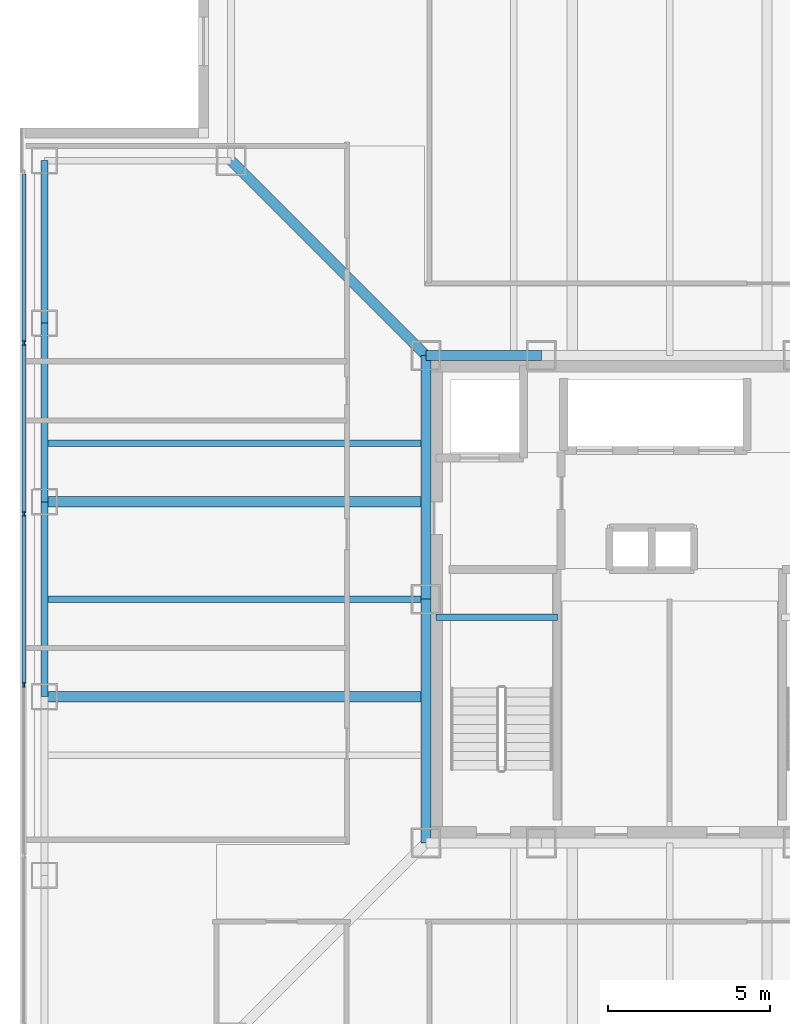
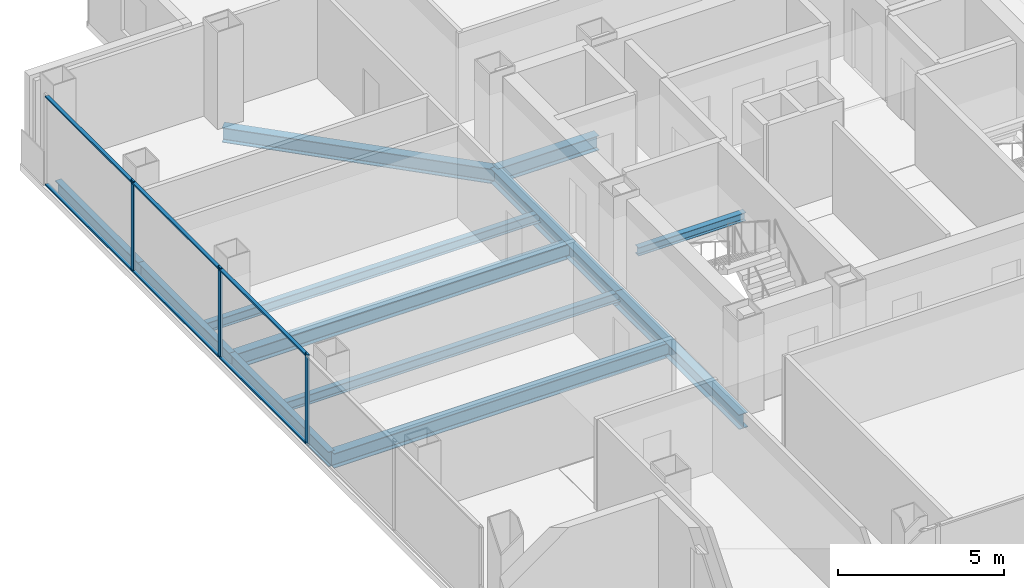
# One storey, part 4 of 17: 12 beams, 9 members, 1 element without a shape of its own.
"""IFC4 building model written with IfcOpenShell, lengths in metres."""

from ifc_helpers import new_model, si_unit, direction, frame, origin, origin_2d, place, context, subcontext, project, spatial, rectangle, i_section, extrude, material, layer, layer_set, material_profile, profile_set, type_object, element, aggregate, save


model = new_model("IFC4")

# Units and contexts
model_context = context("Model", 3, precision=1e-05, world=origin(), true_north=direction((0.0, 1.0)))
body_context = subcontext(model_context, "Body", "Model", "MODEL_VIEW")
ifc_project = project(units=[si_unit("LENGTHUNIT", "METRE"), si_unit("AREAUNIT", "SQUARE_METRE"), si_unit("VOLUMEUNIT", "CUBIC_METRE"), si_unit("PLANEANGLEUNIT", "RADIAN"), si_unit("MASSUNIT", "GRAM", prefix="KILO")], contexts=[model_context])

# Site, building, storey
site_placement = place(None, origin())
site = spatial("IfcSite", under=ifc_project, at=site_placement, CompositionType="ELEMENT")
building_placement = place(site_placement, origin())
building = spatial("IfcBuilding", under=site, at=building_placement, Name="Trevonay Congress Spire", CompositionType="ELEMENT")
storey_placement = place(building_placement, frame((0.0, 0.0, 209.39990234375)))
storey = spatial("IfcBuildingStorey", under=building, at=storey_placement, Name="L54", CompositionType="ELEMENT", Elevation=209.39990234375)

# Beams
ifc_material_1 = material(Name="Steel ASTM A572 Grade 50", Category="steel")
ifc_material_profile_1 = material_profile(ifc_material_1, i_section(OverallWidth=0.31201171875, OverallDepth=0.54296875, WebThickness=0.0126953125, FlangeThickness=0.020263671875, FilletRadius=0.014892578125, at=origin_2d()), Name="W530x150")
ifc_profile_set_1 = profile_set([ifc_material_profile_1], Name="Steel ASTM A572 Grade 50")
beam_type_1 = type_object("IfcBeamType", Name="BM-GIRD-W530X150", PredefinedType="BEAM", material=ifc_profile_set_1)
beam_1_placement = place(storey_placement, frame((-7.5, 7.5, -0.511474609375), z_axis=(1.0, 0.0, 0.0), x_axis=(0.0, 1.0, 0.0)))
element("IfcBeam", 1, at=beam_1_placement, inside=storey, type_object=beam_type_1, Name="L54 structural beam BM-L54-CR-N1", PredefinedType="BEAM", context=body_context, shape_type="SweptSolid", body=[
    extrude(i_section(OverallWidth=0.31201171875, OverallDepth=0.54296875, WebThickness=0.0126953125, FlangeThickness=0.020263671875, FilletRadius=0.014892578125, at=origin_2d()), origin(), (0.0, 0.0, 1.0), 3.550048828125),
])
for number, where, z_axis, x_axis, name in (
    (2, (-7.5, -7.5, -0.511474609375), (0.0, 1.0, 0.0), (-1.0, 0.0, 0.0), "L54 structural beam BM-L54-CR-W1"),
    (3, (-7.5, 0.0, -0.511474609375), (0.0, 1.0, 0.0), (-1.0, 0.0, 0.0), "L54 structural beam BM-L54-CR-W2"),
):
    element("IfcBeam", number, at=place(storey_placement, frame(where, z_axis=z_axis, x_axis=x_axis)), inside=storey, type_object=beam_type_1, Name=name, PredefinedType="BEAM", context=body_context, shape_type="SweptSolid", body=[
        extrude(i_section(OverallWidth=0.31201171875, OverallDepth=0.54296875, WebThickness=0.0126953125, FlangeThickness=0.020263671875, FilletRadius=0.014892578125, at=origin_2d()), origin(), (0.0, 0.0, 1.0), 7.5),
    ])
beam_2_placement = place(storey_placement, frame((-7.5, 7.5, -0.511474609375), z_axis=(-0.707106781187, 0.707106781187, 0.0), x_axis=(-0.707106781187, -0.707106781187, 0.0)))
element("IfcBeam", 4, at=beam_2_placement, inside=storey, type_object=beam_type_1, Name="L54 structural beam BM-L54-CDNW", PredefinedType="BEAM", context=body_context, shape_type="SweptSolid", body=[
    extrude(i_section(OverallWidth=0.31201171875, OverallDepth=0.54296875, WebThickness=0.0126953125, FlangeThickness=0.020263671875, FilletRadius=0.014892578125, at=origin_2d()), origin(), (0.0, 0.0, 1.0), 8.4853515625),
])
for number, where, z_axis, x_axis, name in (
    (5, (-7.5, -3.0, -0.511474609375), (-1.0, 0.0, 0.0), (0.0, -1.0, 0.0), "L54 structural beam BM-L54-GW-M"),
    (6, (-7.5, 3.0, -0.511474609375), (-1.0, 0.0, 0.0), (0.0, -1.0, 0.0), "L54 structural beam BM-L54-GW-P"),
):
    element("IfcBeam", number, at=place(storey_placement, frame(where, z_axis=z_axis, x_axis=x_axis)), inside=storey, type_object=beam_type_1, Name=name, PredefinedType="BEAM", context=body_context, shape_type="SweptSolid", body=[
        extrude(i_section(OverallWidth=0.31201171875, OverallDepth=0.54296875, WebThickness=0.0126953125, FlangeThickness=0.020263671875, FilletRadius=0.014892578125, at=origin_2d()), origin(), (0.0, 0.0, 1.0), 11.75),
    ])
ifc_material_profile_2 = material_profile(ifc_material_1, i_section(OverallWidth=0.2119140625, OverallDepth=0.5439453125, WebThickness=0.01318359375, FlangeThickness=0.021240234375, FilletRadius=0.014892578125, at=origin_2d()), Name="W530x123")
ifc_profile_set_2 = profile_set([ifc_material_profile_2], Name="Steel ASTM A572 Grade 50")
beam_type_2 = type_object("IfcBeamType", Name="BM-RING-W530X123", PredefinedType="BEAM", material=ifc_profile_set_2)
beam_3_placement = place(storey_placement, frame((-19.25, -3.0, -0.511962890625), z_axis=(0.0, 1.0, 0.0), x_axis=(-1.0, 0.0, 0.0)))
element("IfcBeam", 7, at=beam_3_placement, inside=storey, type_object=beam_type_2, Name="L54 structural beam BM-L54-PW3", PredefinedType="BEAM", context=body_context, shape_type="SweptSolid", body=[
    extrude(i_section(OverallWidth=0.2119140625, OverallDepth=0.5439453125, WebThickness=0.01318359375, FlangeThickness=0.021240234375, FilletRadius=0.014892578125, at=origin_2d()), origin(), (0.0, 0.0, 1.0), 6.0),
])
beam_4_placement = place(storey_placement, frame((-19.25, 3.0, -0.511962890625), z_axis=(0.0, 1.0, 0.0), x_axis=(-1.0, 0.0, 0.0)))
element("IfcBeam", 8, at=beam_4_placement, inside=storey, type_object=beam_type_2, Name="L54 structural beam BM-L54-PW4", PredefinedType="BEAM", context=body_context, shape_type="SweptSolid", body=[
    extrude(i_section(OverallWidth=0.2119140625, OverallDepth=0.5439453125, WebThickness=0.01318359375, FlangeThickness=0.021240234375, FilletRadius=0.014892578125, at=origin_2d()), origin(), (0.0, 0.0, 1.0), 5.5),
])
beam_5_placement = place(storey_placement, frame((-19.25, 8.5, -0.511962890625), z_axis=(0.0, 1.0, 0.0), x_axis=(-1.0, 0.0, 0.0)))
element("IfcBeam", 9, at=beam_5_placement, inside=storey, type_object=beam_type_2, Name="L54 structural beam BM-L54-PW5", PredefinedType="BEAM", context=body_context, shape_type="SweptSolid", body=[
    extrude(i_section(OverallWidth=0.2119140625, OverallDepth=0.5439453125, WebThickness=0.01318359375, FlangeThickness=0.021240234375, FilletRadius=0.014892578125, at=origin_2d()), origin(), (0.0, 0.0, 1.0), 5.0),
])

# Curtain wall, members
ifc_material_2 = material(Name="Pale Anodised Aluminium EN AW-6063-T6", Category="aluminium")
ifc_layer = layer(ifc_material_2, 0.169921875, Name="Pale Anodised Aluminium EN AW-6063-T6")
ifc_layer_set = layer_set([ifc_layer], Name="Pale Anodised Aluminium EN AW-6063-T6")
curtain_wall_type = type_object("IfcCurtainWallType", Name="CW-SYS04-CORP-PALE-METAL", PredefinedType="NOTDEFINED", material=ifc_layer_set)
curtain_wall_placement = place(storey_placement, origin())
curtain_wall = element("IfcCurtainWall", 10, at=curtain_wall_placement, inside=storey, type_object=curtain_wall_type, Name="L54 W unitised curtain wall", PredefinedType="NOTDEFINED")
ifc_material_profile_3 = material_profile(ifc_material_2, rectangle(XDim=0.06005859375, YDim=0.159912109375, at=origin_2d()), Name="CW-MULLION-160-ALUMINIUM")
ifc_profile_set_3 = profile_set([ifc_material_profile_3], Name="Pale Anodised Aluminium EN AW-6063-T6")
member_type_1 = type_object("IfcMemberType", Name="CW-MULLION-160-ALUMINIUM", PredefinedType="MULLION", material=ifc_profile_set_3)
member_1_placement = place(storey_placement, frame((-19.8798828125, -2.6298828125, 0.0), z_axis=(0.0, 0.0, 1.0), x_axis=(-1.0, 0.0, 0.0)))
member_1 = element("IfcMember", 11, at=member_1_placement, type_object=member_type_1, Name="CW04 mullion 3", PredefinedType="MULLION", context=body_context, shape_type="SweptSolid", body=[
    extrude(rectangle(XDim=0.06005859375, YDim=0.159912109375, at=origin_2d()), origin(), (0.0, 0.0, 1.0), 3.360107421875),
])
member_2_placement = place(storey_placement, frame((-19.8798828125, 2.6298828125, 0.0), z_axis=(0.0, 0.0, 1.0), x_axis=(-1.0, 0.0, 0.0)))
member_2 = element("IfcMember", 12, at=member_2_placement, type_object=member_type_1, Name="CW04 mullion 4", PredefinedType="MULLION", context=body_context, shape_type="SweptSolid", body=[
    extrude(rectangle(XDim=0.06005859375, YDim=0.159912109375, at=origin_2d()), origin(), (0.0, 0.0, 1.0), 3.360107421875),
])
member_3_placement = place(storey_placement, frame((-19.8798828125, 7.889892578125, 0.0), z_axis=(0.0, 0.0, 1.0), x_axis=(-1.0, 0.0, 0.0)))
member_3 = element("IfcMember", 13, at=member_3_placement, type_object=member_type_1, Name="CW04 mullion 5", PredefinedType="MULLION", context=body_context, shape_type="SweptSolid", body=[
    extrude(rectangle(XDim=0.06005859375, YDim=0.159912109375, at=origin_2d()), origin(), (0.0, 0.0, 1.0), 3.360107421875),
])
ifc_material_profile_4 = material_profile(ifc_material_2, rectangle(XDim=0.1201171875, YDim=0.06005859375, at=origin_2d()), Name="CW-TRANSOM-120-ALUMINIUM")
ifc_profile_set_4 = profile_set([ifc_material_profile_4], Name="Pale Anodised Aluminium EN AW-6063-T6")
member_type_2 = type_object("IfcMemberType", Name="CW-TRANSOM-120-ALUMINIUM", PredefinedType="USERDEFINED", material=ifc_profile_set_4)
member_4_placement = place(storey_placement, frame((-19.8798828125, -2.60009765625, 0.06005859375), z_axis=(0.0, 1.0, 0.0), x_axis=(-1.0, 0.0, 0.0)))
member_4 = element("IfcMember", 14, at=member_4_placement, type_object=member_type_2, Name="CW04 transom 3.1", ObjectType="TRANSOM", PredefinedType="USERDEFINED", context=body_context, shape_type="SweptSolid", body=[
    extrude(rectangle(XDim=0.1201171875, YDim=0.06005859375, at=origin_2d()), origin(), (0.0, 0.0, 1.0), 5.2001953125),
])
member_5_placement = place(storey_placement, frame((-19.8798828125, -2.60009765625, 3.300048828125), z_axis=(0.0, 1.0, 0.0), x_axis=(-1.0, 0.0, 0.0)))
member_5 = element("IfcMember", 15, at=member_5_placement, type_object=member_type_2, Name="CW04 transom 3.2", ObjectType="TRANSOM", PredefinedType="USERDEFINED", context=body_context, shape_type="SweptSolid", body=[
    extrude(rectangle(XDim=0.1201171875, YDim=0.06005859375, at=origin_2d()), origin(), (0.0, 0.0, 1.0), 5.2001953125),
])
member_6_placement = place(storey_placement, frame((-19.8798828125, 2.659912109375, 0.06005859375), z_axis=(0.0, 1.0, 0.0), x_axis=(-1.0, 0.0, 0.0)))
member_6 = element("IfcMember", 16, at=member_6_placement, type_object=member_type_2, Name="CW04 transom 4.1", ObjectType="TRANSOM", PredefinedType="USERDEFINED", context=body_context, shape_type="SweptSolid", body=[
    extrude(rectangle(XDim=0.1201171875, YDim=0.06005859375, at=origin_2d()), origin(), (0.0, 0.0, 1.0), 5.2001953125),
])
member_7_placement = place(storey_placement, frame((-19.8798828125, 2.659912109375, 3.300048828125), z_axis=(0.0, 1.0, 0.0), x_axis=(-1.0, 0.0, 0.0)))
member_7 = element("IfcMember", 17, at=member_7_placement, type_object=member_type_2, Name="CW04 transom 4.2", ObjectType="TRANSOM", PredefinedType="USERDEFINED", context=body_context, shape_type="SweptSolid", body=[
    extrude(rectangle(XDim=0.1201171875, YDim=0.06005859375, at=origin_2d()), origin(), (0.0, 0.0, 1.0), 5.2001953125),
])
member_8_placement = place(storey_placement, frame((-19.8798828125, 7.919921875, 0.06005859375), z_axis=(0.0, 1.0, 0.0), x_axis=(-1.0, 0.0, 0.0)))
member_8 = element("IfcMember", 18, at=member_8_placement, type_object=member_type_2, Name="CW04 transom 5.1", ObjectType="TRANSOM", PredefinedType="USERDEFINED", context=body_context, shape_type="SweptSolid", body=[
    extrude(rectangle(XDim=0.1201171875, YDim=0.06005859375, at=origin_2d()), origin(), (0.0, 0.0, 1.0), 5.170166015625),
])
member_9_placement = place(storey_placement, frame((-19.8798828125, 7.919921875, 3.300048828125), z_axis=(0.0, 1.0, 0.0), x_axis=(-1.0, 0.0, 0.0)))
member_9 = element("IfcMember", 19, at=member_9_placement, type_object=member_type_2, Name="CW04 transom 5.2", ObjectType="TRANSOM", PredefinedType="USERDEFINED", context=body_context, shape_type="SweptSolid", body=[
    extrude(rectangle(XDim=0.1201171875, YDim=0.06005859375, at=origin_2d()), origin(), (0.0, 0.0, 1.0), 5.170166015625),
])
aggregate(curtain_wall, [member_1, member_2, member_3, member_4, member_5, member_6, member_7, member_8, member_9])

# Beams
ifc_material_profile_5 = material_profile(ifc_material_1, i_section(OverallWidth=0.205078125, OverallDepth=0.35400390625, WebThickness=0.009521484375, FlangeThickness=0.016845703125, FilletRadius=0.011962890625, at=origin_2d()), Name="W360x79")
ifc_profile_set_5 = profile_set([ifc_material_profile_5], Name="Steel ASTM A572 Grade 50")
beam_type_3 = type_object("IfcBeamType", Name="JS-COMP-W360X79", PredefinedType="JOIST", material=ifc_profile_set_5)
for number, where, z_axis, x_axis, name in (
    (20, (-19.25, 0.0, -0.4169921875), (1.0, 0.0, 0.0), (0.0, 1.0, 0.0), "L54 structural beam JS-L54-EW-W2"),
    (21, (-19.25, 4.800048828125, -0.4169921875), (1.0, 0.0, 0.0), (0.0, 1.0, 0.0), "L54 structural beam JS-L54-EW-W3"),
):
    element("IfcBeam", number, at=place(storey_placement, frame(where, z_axis=z_axis, x_axis=x_axis)), inside=storey, type_object=beam_type_3, Name=name, PredefinedType="JOIST", context=body_context, shape_type="SweptSolid", body=[
        extrude(i_section(OverallWidth=0.205078125, OverallDepth=0.35400390625, WebThickness=0.009521484375, FlangeThickness=0.016845703125, FilletRadius=0.011962890625, at=origin_2d()), origin(), (0.0, 0.0, 1.0), 11.75),
    ])
ifc_material_profile_6 = material_profile(ifc_material_1, i_section(OverallWidth=0.2041015625, OverallDepth=0.305908203125, WebThickness=0.008544921875, FlangeThickness=0.0146484375, FilletRadius=0.010986328125, at=origin_2d()), Name="W310x67")
ifc_profile_set_6 = profile_set([ifc_material_profile_6], Name="Steel ASTM A572 Grade 50")
beam_type_4 = type_object("IfcBeamType", Name="LN-CORE-W310X67", PredefinedType="LINTEL", material=ifc_profile_set_6)
beam_6_placement = place(storey_placement, frame((-7.199951171875, -0.550048828125, 1.447021484375), z_axis=(1.0, 0.0, 0.0), x_axis=(0.0, 1.0, 0.0)))
element("IfcBeam", 22, at=beam_6_placement, inside=storey, type_object=beam_type_4, Name="L54 structural beam BM-L54-HL-ST1", PredefinedType="LINTEL", context=body_context, shape_type="SweptSolid", body=[
    extrude(i_section(OverallWidth=0.2041015625, OverallDepth=0.305908203125, WebThickness=0.008544921875, FlangeThickness=0.0146484375, FilletRadius=0.010986328125, at=origin_2d()), origin(), (0.0, 0.0, 1.0), 3.75),
])

save(model, "model.ifc")
